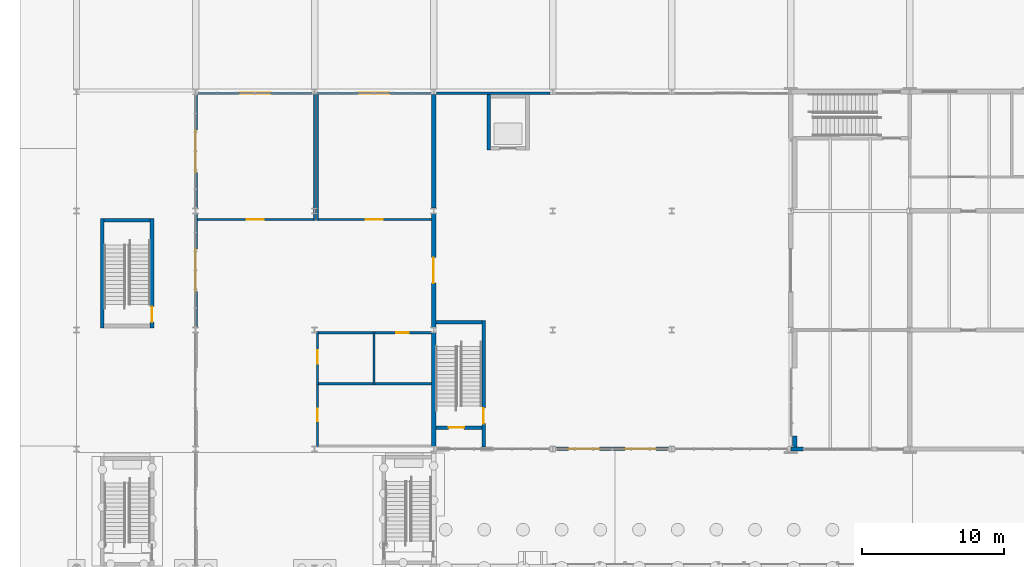
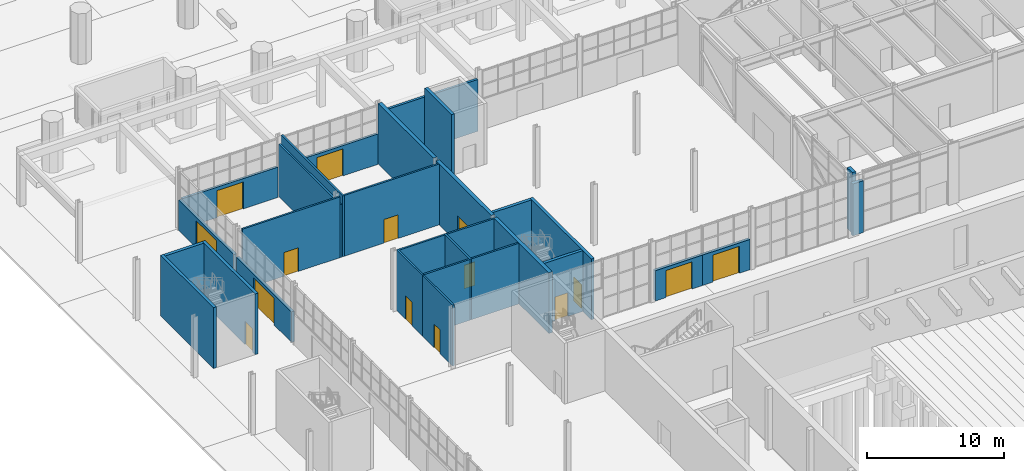
# One storey, part 66 of 127: 29 walls, 15 doors, 15 openings.
"""IFC4 building model written with IfcOpenShell, lengths in metres."""

from ifc_helpers import new_model, si_unit, direction, frame, frame_2d, origin, place, context, subcontext, project, spatial, rectangle, extrude, material, layer, layer_set, type_object, element, fill, save


model = new_model("IFC4")

# Units and contexts
model_context = context("Model", 3, precision=1e-05, world=origin(), true_north=direction((0.0, 1.0)))
body_context = subcontext(model_context, "Body", "Model", "MODEL_VIEW")
ifc_project = project(units=[si_unit("LENGTHUNIT", "METRE"), si_unit("AREAUNIT", "SQUARE_METRE"), si_unit("VOLUMEUNIT", "CUBIC_METRE"), si_unit("PLANEANGLEUNIT", "RADIAN"), si_unit("MASSUNIT", "GRAM", prefix="KILO")], contexts=[model_context])

# Site, building, storey
site_placement = place(None, origin())
site = spatial("IfcSite", under=ifc_project, at=site_placement, CompositionType="ELEMENT")
building_placement = place(site_placement, origin())
building = spatial("IfcBuilding", under=site, at=building_placement, Name="Ljudholm Concert House", CompositionType="ELEMENT")
storey_placement = place(building_placement, origin())
storey = spatial("IfcBuildingStorey", under=building, at=storey_placement, Name="L00", CompositionType="ELEMENT", Elevation=0.0)

# Wall, opening, door
ifc_material_1 = material(Name="Gypsum board on steel studs", Category="steel")
ifc_layer_1 = layer(ifc_material_1, 0.14990234375)
ifc_layer_set_1 = layer_set([ifc_layer_1], Name="Gypsum board on steel studs")
wall_type_1 = type_object("IfcWallType", Name="GYPSUM PARTITION 150", PredefinedType="PARTITIONING", material=ifc_layer_set_1)
wall_1_placement = place(storey_placement, frame((21.0, 104.925048828125, 0.0), z_axis=(0.0, 0.0, 1.0), x_axis=(0.0, 1.0, 0.0)))
wall_1 = element("IfcWall", 1, at=wall_1_placement, inside=storey, type_object=wall_type_1, Name="Room wall", PredefinedType="PARTITIONING", context=body_context, shape_type="SweptSolid", body=[
    extrude(rectangle(XDim=4.550048828125, YDim=0.14990234375, at=frame_2d((2.27490234375, 0.0))), origin(), (0.0, 0.0, 1.0), 5.39990234375),
])
opening_1_placement = place(wall_1_placement, frame((1.824951171875, 0.0, 0.0)))
opening_1 = element("IfcOpeningElement", 2, at=opening_1_placement, cuts=wall_1, Name="Opening D-S00-025", PredefinedType="OPENING", context=body_context, shape_type="SweptSolid", body=[
    extrude(rectangle(XDim=0.89990234375, YDim=2.10009765625, at=frame_2d((0.449951171875, 1.050048828125))), frame((0.0, 0.0849609375, 0.0), z_axis=(0.0, -1.0, 0.0), x_axis=(1.0, 0.0, 0.0)), (0.0, 0.0, 1.0), 0.169921875),
])
ifc_material_2 = material(Name="Hollow metal door in steel frame", Category="steel")
door_type_1 = type_object("IfcDoorType", Name="SWING DOOR 900x2100", OperationType="SINGLE_SWING_LEFT", PredefinedType="DOOR", material=ifc_material_2)
door_1_placement = place(opening_1_placement, frame((0.89990234375, 0.0, 0.0), z_axis=(0.0, 0.0, 1.0), x_axis=(-1.0, 0.0, 0.0)))
door_1 = element("IfcDoor", 3, at=door_1_placement, inside=storey, type_object=door_type_1, Name="Toilets door", OperationType="SINGLE_SWING_RIGHT", OverallHeight=2.10009765625, OverallWidth=0.89990234375, PredefinedType="DOOR", context=body_context, shape_type="SweptSolid", body=[
    extrude(rectangle(XDim=0.89990234375, YDim=2.10009765625, at=frame_2d((0.449951171875, 1.050048828125))), frame((0.0, 0.02490234375, 0.0), z_axis=(0.0, -1.0, 0.0), x_axis=(1.0, 0.0, 0.0)), (0.0, 0.0, 1.0), 0.050048828125),
])
fill(opening_1, door_1)

# Wall
wall_2_placement = place(storey_placement, frame((21.074951171875, 109.39990234375, 0.0), z_axis=(0.0, 0.0, 1.0), x_axis=(1.0, 0.0, 0.0)))
element("IfcWall", 4, at=wall_2_placement, inside=storey, type_object=wall_type_1, Name="Room wall", PredefinedType="PARTITIONING", context=body_context, shape_type="SweptSolid", body=[
    extrude(rectangle(XDim=7.97509765625, YDim=0.14990234375, at=frame_2d((3.987548828125, 0.0))), origin(), (0.0, 0.0, 1.0), 5.39990234375),
])

# Wall, opening, door
wall_3_placement = place(storey_placement, frame((21.0, 109.324951171875, 0.0), z_axis=(0.0, 0.0, 1.0), x_axis=(0.0, 1.0, 0.0)))
wall_3 = element("IfcWall", 5, at=wall_3_placement, inside=storey, type_object=wall_type_1, Name="Room wall", PredefinedType="PARTITIONING", context=body_context, shape_type="SweptSolid", body=[
    extrude(rectangle(XDim=3.75, YDim=0.14990234375, at=frame_2d((1.875, 0.0))), origin(), (0.0, 0.0, 1.0), 5.39990234375),
])
opening_2_placement = place(wall_3_placement, frame((1.5, 0.0, 0.0)))
opening_2 = element("IfcOpeningElement", 6, at=opening_2_placement, cuts=wall_3, Name="Opening D-S00-026", PredefinedType="OPENING", context=body_context, shape_type="SweptSolid", body=[
    extrude(rectangle(XDim=0.949951171875, YDim=2.10009765625, at=frame_2d((0.47509765625, 1.050048828125))), frame((0.0, 0.0849609375, 0.0), z_axis=(0.0, -1.0, 0.0), x_axis=(1.0, 0.0, 0.0)), (0.0, 0.0, 1.0), 0.169921875),
])
ifc_material_3 = material(Name="Hollow metal door in steel frame", Category="steel")
door_type_2 = type_object("IfcDoorType", Name="SWING DOOR 950x2100", OperationType="SINGLE_SWING_LEFT", PredefinedType="DOOR", material=ifc_material_3)
door_2_placement = place(opening_2_placement, frame((0.949951171875, 0.0, 0.0), z_axis=(0.0, 0.0, 1.0), x_axis=(-1.0, 0.0, 0.0)))
door_2 = element("IfcDoor", 7, at=door_2_placement, inside=storey, type_object=door_type_2, Name="Accessible WC door", OperationType="SINGLE_SWING_LEFT", OverallHeight=2.10009765625, OverallWidth=0.949951171875, PredefinedType="DOOR", context=body_context, shape_type="SweptSolid", body=[
    extrude(rectangle(XDim=0.949951171875, YDim=2.10009765625, at=frame_2d((0.47509765625, 1.050048828125))), frame((0.0, 0.02490234375, 0.0), z_axis=(0.0, -1.0, 0.0), x_axis=(1.0, 0.0, 0.0)), (0.0, 0.0, 1.0), 0.050048828125),
])
fill(opening_2, door_2)

# Walls
wall_4_placement = place(storey_placement, frame((25.0, 109.324951171875, 0.0), z_axis=(0.0, 0.0, 1.0), x_axis=(0.0, 1.0, 0.0)))
element("IfcWall", 8, at=wall_4_placement, inside=storey, type_object=wall_type_1, Name="Room wall", PredefinedType="PARTITIONING", context=body_context, shape_type="SweptSolid", body=[
    extrude(rectangle(XDim=3.75, YDim=0.14990234375, at=frame_2d((1.875, 0.0))), origin(), (0.0, 0.0, 1.0), 5.39990234375),
])
wall_5_placement = place(storey_placement, frame((21.074951171875, 113.0, 0.0), z_axis=(0.0, 0.0, 1.0), x_axis=(1.0, 0.0, 0.0)))
element("IfcWall", 9, at=wall_5_placement, inside=storey, type_object=wall_type_1, Name="Room wall", PredefinedType="PARTITIONING", context=body_context, shape_type="SweptSolid", body=[
    extrude(rectangle(XDim=3.85009765625, YDim=0.14990234375, at=frame_2d((1.925048828125, 0.0))), origin(), (0.0, 0.0, 1.0), 5.39990234375),
])

# Wall, opening, door
wall_6_placement = place(storey_placement, frame((25.074951171875, 113.0, 0.0), z_axis=(0.0, 0.0, 1.0), x_axis=(1.0, 0.0, 0.0)))
wall_6 = element("IfcWall", 10, at=wall_6_placement, inside=storey, type_object=wall_type_1, Name="Room wall", PredefinedType="PARTITIONING", context=body_context, shape_type="SweptSolid", body=[
    extrude(rectangle(XDim=3.97509765625, YDim=0.14990234375, at=frame_2d((1.987548828125, 0.0))), origin(), (0.0, 0.0, 1.0), 5.39990234375),
])
opening_3_placement = place(wall_6_placement, frame((1.47509765625, 0.0, 0.0)))
opening_3 = element("IfcOpeningElement", 11, at=opening_3_placement, cuts=wall_6, Name="Opening D-S00-027", PredefinedType="OPENING", context=body_context, shape_type="SweptSolid", body=[
    extrude(rectangle(XDim=0.89990234375, YDim=2.10009765625, at=frame_2d((0.449951171875, 1.050048828125))), frame((0.0, 0.0849609375, 0.0), z_axis=(0.0, -1.0, 0.0), x_axis=(1.0, 0.0, 0.0)), (0.0, 0.0, 1.0), 0.169921875),
])
door_3_placement = place(opening_3_placement, frame((0.89990234375, 0.0, 0.0), z_axis=(0.0, 0.0, 1.0), x_axis=(-1.0, 0.0, 0.0)))
door_3 = element("IfcDoor", 12, at=door_3_placement, inside=storey, type_object=door_type_1, Name="Cleaner's Store door", OperationType="SINGLE_SWING_LEFT", OverallHeight=2.10009765625, OverallWidth=0.89990234375, PredefinedType="DOOR", context=body_context, shape_type="SweptSolid", body=[
    extrude(rectangle(XDim=0.89990234375, YDim=2.10009765625, at=frame_2d((0.449951171875, 1.050048828125))), frame((0.0, 0.02490234375, 0.0), z_axis=(0.0, -1.0, 0.0), x_axis=(1.0, 0.0, 0.0)), (0.0, 0.0, 1.0), 0.050048828125),
])
fill(opening_3, door_3)

# Wall
wall_7_placement = place(storey_placement, frame((20.800048828125, 120.925048828125, 0.0), z_axis=(0.0, 0.0, 1.0), x_axis=(0.0, 1.0, 0.0)))
element("IfcWall", 13, at=wall_7_placement, inside=storey, type_object=wall_type_1, Name="Room wall", PredefinedType="PARTITIONING", context=body_context, shape_type="SweptSolid", body=[
    extrude(rectangle(XDim=8.949951171875, YDim=0.14990234375, at=frame_2d((4.47509765625, 0.0))), origin(), (0.0, 0.0, 1.0), 4.6865234375),
])

# Wall, opening, door
wall_8_placement = place(storey_placement, frame((12.52490234375, 121.0, 0.0), z_axis=(0.0, 0.0, 1.0), x_axis=(1.0, 0.0, 0.0)))
wall_8 = element("IfcWall", 14, at=wall_8_placement, inside=storey, type_object=wall_type_1, Name="Room wall", PredefinedType="PARTITIONING", context=body_context, shape_type="SweptSolid", body=[
    extrude(rectangle(XDim=8.2001953125, YDim=0.14990234375, at=frame_2d((4.10009765625, 0.0))), origin(), (0.0, 0.0, 1.0), 5.39990234375),
])
opening_4_placement = place(wall_8_placement, frame((3.47509765625, 0.0, 0.0)))
opening_4 = element("IfcOpeningElement", 15, at=opening_4_placement, cuts=wall_8, Name="Opening D-S00-028", PredefinedType="OPENING", context=body_context, shape_type="SweptSolid", body=[
    extrude(rectangle(XDim=1.199951171875, YDim=2.10009765625, at=frame_2d((0.60009765625, 1.050048828125))), frame((0.0, 0.0849609375, 0.0), z_axis=(0.0, -1.0, 0.0), x_axis=(1.0, 0.0, 0.0)), (0.0, 0.0, 1.0), 0.169921875),
])
ifc_material_4 = material(Name="Hollow metal door in steel frame", Category="steel")
door_type_3 = type_object("IfcDoorType", Name="SWING DOOR 1200x2100", OperationType="SINGLE_SWING_LEFT", PredefinedType="DOOR", material=ifc_material_4)
door_4_placement = place(opening_4_placement, origin())
door_4 = element("IfcDoor", 16, at=door_4_placement, inside=storey, type_object=door_type_3, Name="Cafe door", OperationType="SINGLE_SWING_LEFT", OverallHeight=2.10009765625, OverallWidth=1.199951171875, PredefinedType="DOOR", context=body_context, shape_type="SweptSolid", body=[
    extrude(rectangle(XDim=1.199951171875, YDim=2.10009765625, at=frame_2d((0.60009765625, 1.050048828125))), frame((0.0, 0.02490234375, 0.0), z_axis=(0.0, -1.0, 0.0), x_axis=(1.0, 0.0, 0.0)), (0.0, 0.0, 1.0), 0.050048828125),
])
fill(opening_4, door_4)

# Wall
wall_9_placement = place(storey_placement, frame((21.0, 120.925048828125, 0.0), z_axis=(0.0, 0.0, 1.0), x_axis=(0.0, 1.0, 0.0)))
element("IfcWall", 17, at=wall_9_placement, inside=storey, type_object=wall_type_1, Name="Room wall", PredefinedType="PARTITIONING", context=body_context, shape_type="SweptSolid", body=[
    extrude(rectangle(XDim=8.949951171875, YDim=0.14990234375, at=frame_2d((4.47509765625, 0.0))), origin(), (0.0, 0.0, 1.0), 5.39990234375),
])

# Wall, opening, door
wall_10_placement = place(storey_placement, frame((21.074951171875, 121.0, 0.0), z_axis=(0.0, 0.0, 1.0), x_axis=(1.0, 0.0, 0.0)))
wall_10 = element("IfcWall", 18, at=wall_10_placement, inside=storey, type_object=wall_type_1, Name="Room wall", PredefinedType="PARTITIONING", context=body_context, shape_type="SweptSolid", body=[
    extrude(rectangle(XDim=7.97509765625, YDim=0.14990234375, at=frame_2d((3.987548828125, 0.0))), origin(), (0.0, 0.0, 1.0), 5.39990234375),
])
opening_5_placement = place(wall_10_placement, frame((3.324951171875, 0.0, 0.0)))
opening_5 = element("IfcOpeningElement", 19, at=opening_5_placement, cuts=wall_10, Name="Opening D-S00-029", PredefinedType="OPENING", context=body_context, shape_type="SweptSolid", body=[
    extrude(rectangle(XDim=1.199951171875, YDim=2.10009765625, at=frame_2d((0.60009765625, 1.050048828125))), frame((0.0, 0.0849609375, 0.0), z_axis=(0.0, -1.0, 0.0), x_axis=(1.0, 0.0, 0.0)), (0.0, 0.0, 1.0), 0.169921875),
])
door_5_placement = place(opening_5_placement, origin())
door_5 = element("IfcDoor", 20, at=door_5_placement, inside=storey, type_object=door_type_3, Name="Shop door", OperationType="SINGLE_SWING_RIGHT", OverallHeight=2.10009765625, OverallWidth=1.199951171875, PredefinedType="DOOR", context=body_context, shape_type="SweptSolid", body=[
    extrude(rectangle(XDim=1.199951171875, YDim=2.10009765625, at=frame_2d((0.60009765625, 1.050048828125))), frame((0.0, 0.02490234375, 0.0), z_axis=(0.0, -1.0, 0.0), x_axis=(1.0, 0.0, 0.0)), (0.0, 0.0, 1.0), 0.050048828125),
])
fill(opening_5, door_5)

# Walls
ifc_material_5 = material(Name="Concrete masonry unit f'm 13.8 MPa", Category="masonry")
ifc_layer_2 = layer(ifc_material_5, 0.300048828125)
ifc_layer_set_2 = layer_set([ifc_layer_2], Name="Concrete masonry unit f'm 13.8 MPa")
wall_type_2 = type_object("IfcWallType", Name="MASONRY WALL 300", PredefinedType="SOLIDWALL", material=ifc_layer_set_2)
wall_11_placement = place(storey_placement, frame((54.6796875, 104.949951171875, 0.0), z_axis=(0.0, 0.0, 1.0), x_axis=(0.0, 1.0, 0.0)))
element("IfcWall", 21, at=wall_11_placement, inside=storey, type_object=wall_type_2, Name="Separation wall (braced bay)", PredefinedType="SOLIDWALL", context=body_context, shape_type="SweptSolid", body=[
    extrude(rectangle(XDim=0.75, YDim=0.300048828125, at=frame_2d((0.375, 0.0))), origin(), (0.0, 0.0, 1.0), 5.39990234375),
])
ifc_material_6 = material(Name="Precast concrete 5,000 psi", Category="concrete")
ifc_layer_3 = layer(ifc_material_6, 0.300048828125)
ifc_layer_set_3 = layer_set([ifc_layer_3], Name="Precast concrete 5,000 psi")
wall_type_3 = type_object("IfcWallType", Name="PRECAST PANEL WALL 300", PredefinedType="SOLIDWALL", material=ifc_layer_set_3)
wall_12_placement = place(storey_placement, frame((54.408203125, 104.800048828125, 0.0), z_axis=(0.0, 0.0, 1.0), x_axis=(1.0, 0.0, 0.0)))
element("IfcWall", 22, at=wall_12_placement, inside=storey, type_object=wall_type_3, Name="Facade wall", PredefinedType="SOLIDWALL", context=body_context, shape_type="SweptSolid", body=[
    extrude(rectangle(XDim=0.891845703125, YDim=0.300048828125, at=frame_2d((0.44580078125, 0.0))), origin(), (0.0, 0.0, 1.0), 4.60791015625),
])
ifc_material_7 = material(Name="Concrete 6,500 psi", Category="concrete")
ifc_layer_4 = layer(ifc_material_7, 0.25)
ifc_layer_set_4 = layer_set([ifc_layer_4], Name="Concrete 6,500 psi")
wall_type_4 = type_object("IfcWallType", Name="RC CORE WALL 250", PredefinedType="SHEAR", material=ifc_layer_set_4)
wall_13_placement = place(storey_placement, frame((5.824951171875, 113.35009765625, 0.0), z_axis=(0.0, 0.0, 1.0), x_axis=(0.0, 1.0, 0.0)))
element("IfcWall", 23, at=wall_13_placement, inside=storey, type_object=wall_type_4, Name="Stair enclosure wall", PredefinedType="SHEAR", context=body_context, shape_type="SweptSolid", body=[
    extrude(rectangle(XDim=7.699951171875, YDim=0.25, at=frame_2d((3.85009765625, 0.0))), origin(), (0.0, 0.0, 1.0), 5.39990234375),
])

# Wall, opening, door
wall_14_placement = place(storey_placement, frame((9.324951171875, 113.35009765625, 0.0), z_axis=(0.0, 0.0, 1.0), x_axis=(0.0, 1.0, 0.0)))
wall_14 = element("IfcWall", 24, at=wall_14_placement, inside=storey, type_object=wall_type_4, Name="Stair enclosure wall", PredefinedType="SHEAR", context=body_context, shape_type="SweptSolid", body=[
    extrude(rectangle(XDim=7.699951171875, YDim=0.25, at=frame_2d((3.85009765625, 0.0))), origin(), (0.0, 0.0, 1.0), 5.39990234375),
])
opening_6_placement = place(wall_14_placement, frame((0.39990234375, 0.0, 0.0)))
opening_6 = element("IfcOpeningElement", 25, at=opening_6_placement, cuts=wall_14, Name="Opening D-S00-020", PredefinedType="OPENING", context=body_context, shape_type="SweptSolid", body=[
    extrude(rectangle(XDim=1.10009765625, YDim=2.10009765625, at=frame_2d((0.550048828125, 1.050048828125))), frame((0.0, 0.135009765625, 0.0), z_axis=(0.0, -1.0, 0.0), x_axis=(1.0, 0.0, 0.0)), (0.0, 0.0, 1.0), 0.27001953125),
])
ifc_material_8 = material(Name="Hollow metal door in steel frame", Category="steel")
door_type_4 = type_object("IfcDoorType", Name="SWING DOOR 1100x2100 EXTERNAL", OperationType="SINGLE_SWING_LEFT", PredefinedType="DOOR", material=ifc_material_8)
door_6_placement = place(opening_6_placement, frame((1.10009765625, 0.0, 0.0), z_axis=(0.0, 0.0, 1.0), x_axis=(-1.0, 0.0, 0.0)))
door_6 = element("IfcDoor", 26, at=door_6_placement, inside=storey, type_object=door_type_4, Name="Stair exit door", OperationType="SINGLE_SWING_LEFT", OverallHeight=2.10009765625, OverallWidth=1.10009765625, PredefinedType="DOOR", context=body_context, shape_type="SweptSolid", body=[
    extrude(rectangle(XDim=1.10009765625, YDim=2.10009765625, at=frame_2d((0.550048828125, 1.050048828125))), frame((0.0, 0.02490234375, 0.0), z_axis=(0.0, -1.0, 0.0), x_axis=(1.0, 0.0, 0.0)), (0.0, 0.0, 1.0), 0.050048828125),
])
fill(opening_6, door_6)

# Wall
wall_15_placement = place(storey_placement, frame((5.949951171875, 120.925048828125, 0.0), z_axis=(0.0, 0.0, 1.0), x_axis=(1.0, 0.0, 0.0)))
element("IfcWall", 27, at=wall_15_placement, inside=storey, type_object=wall_type_4, Name="Stair enclosure wall", PredefinedType="SHEAR", context=body_context, shape_type="SweptSolid", body=[
    extrude(rectangle(XDim=3.25, YDim=0.25, at=frame_2d((1.625, 0.0))), origin(), (0.0, 0.0, 1.0), 5.39990234375),
])

# Wall, opening, door
wall_16_placement = place(storey_placement, frame((32.72509765625, 104.949951171875, 0.0), z_axis=(0.0, 0.0, 1.0), x_axis=(0.0, 1.0, 0.0)))
wall_16 = element("IfcWall", 28, at=wall_16_placement, inside=storey, type_object=wall_type_4, Name="Stair enclosure wall", PredefinedType="SHEAR", context=body_context, shape_type="SweptSolid", body=[
    extrude(rectangle(XDim=8.929931640625, YDim=0.25, at=frame_2d((4.46484375, 0.0))), origin(), (0.0, 0.0, 1.0), 5.39990234375),
])
opening_7_placement = place(wall_16_placement, frame((1.6298828125, 0.0, 0.0)))
opening_7 = element("IfcOpeningElement", 29, at=opening_7_placement, cuts=wall_16, Name="Opening D-G00-006", PredefinedType="OPENING", context=body_context, shape_type="SweptSolid", body=[
    extrude(rectangle(XDim=1.10009765625, YDim=2.10009765625, at=frame_2d((0.550048828125, 1.050048828125))), frame((0.0, 0.135009765625, 0.0), z_axis=(0.0, -1.0, 0.0), x_axis=(1.0, 0.0, 0.0)), (0.0, 0.0, 1.0), 0.27001953125),
])
ifc_material_9 = material(Name="Hollow metal door in steel frame", Category="steel")
door_type_5 = type_object("IfcDoorType", Name="SWING DOOR 1100x2100", OperationType="SINGLE_SWING_LEFT", PredefinedType="DOOR", material=ifc_material_9)
door_7_placement = place(opening_7_placement, origin())
door_7 = element("IfcDoor", 30, at=door_7_placement, inside=storey, type_object=door_type_5, Name="Stair door", OperationType="SINGLE_SWING_LEFT", OverallHeight=2.10009765625, OverallWidth=1.10009765625, PredefinedType="DOOR", context=body_context, shape_type="SweptSolid", body=[
    extrude(rectangle(XDim=1.10009765625, YDim=2.10009765625, at=frame_2d((0.550048828125, 1.050048828125))), frame((0.0, 0.02490234375, 0.0), z_axis=(0.0, -1.0, 0.0), x_axis=(1.0, 0.0, 0.0)), (0.0, 0.0, 1.0), 0.050048828125),
])
fill(opening_7, door_7)

# Wall
wall_17_placement = place(storey_placement, frame((29.35009765625, 113.7548828125, 0.0), z_axis=(0.0, 0.0, 1.0), x_axis=(1.0, 0.0, 0.0)))
element("IfcWall", 31, at=wall_17_placement, inside=storey, type_object=wall_type_4, Name="Stair enclosure wall", PredefinedType="SHEAR", context=body_context, shape_type="SweptSolid", body=[
    extrude(rectangle(XDim=3.25, YDim=0.25, at=frame_2d((1.625, 0.0))), origin(), (0.0, 0.0, 1.0), 5.39990234375),
])

# Wall, opening, door
wall_18_placement = place(storey_placement, frame((29.35009765625, 106.304931640625, 0.0), z_axis=(0.0, 0.0, 1.0), x_axis=(1.0, 0.0, 0.0)))
wall_18 = element("IfcWall", 32, at=wall_18_placement, inside=storey, type_object=wall_type_4, Name="Stair enclosure wall", PredefinedType="SHEAR", context=body_context, shape_type="SweptSolid", body=[
    extrude(rectangle(XDim=3.25, YDim=0.25, at=frame_2d((1.625, 0.0))), origin(), (0.0, 0.0, 1.0), 5.39990234375),
])
opening_8_placement = place(wall_18_placement, frame((0.89990234375, 0.0, 0.0)))
opening_8 = element("IfcOpeningElement", 33, at=opening_8_placement, cuts=wall_18, Name="Opening D-G00-007", PredefinedType="OPENING", context=body_context, shape_type="SweptSolid", body=[
    extrude(rectangle(XDim=1.10009765625, YDim=2.10009765625, at=frame_2d((0.550048828125, 1.050048828125))), frame((0.0, 0.135009765625, 0.0), z_axis=(0.0, -1.0, 0.0), x_axis=(1.0, 0.0, 0.0)), (0.0, 0.0, 1.0), 0.27001953125),
])
door_8_placement = place(opening_8_placement, origin())
door_8 = element("IfcDoor", 34, at=door_8_placement, inside=storey, type_object=door_type_5, Name="Stair door to exit passage", OperationType="SINGLE_SWING_RIGHT", OverallHeight=2.10009765625, OverallWidth=1.10009765625, PredefinedType="DOOR", context=body_context, shape_type="SweptSolid", body=[
    extrude(rectangle(XDim=1.10009765625, YDim=2.10009765625, at=frame_2d((0.550048828125, 1.050048828125))), frame((0.0, 0.02490234375, 0.0), z_axis=(0.0, -1.0, 0.0), x_axis=(1.0, 0.0, 0.0)), (0.0, 0.0, 1.0), 0.050048828125),
])
fill(opening_8, door_8)

# Walls
ifc_material_10 = material(Name="Concrete 6,500 psi", Category="concrete")
ifc_layer_5 = layer(ifc_material_10, 0.25)
ifc_layer_set_5 = layer_set([ifc_layer_5], Name="Concrete 6,500 psi")
wall_type_5 = type_object("IfcWallType", Name="RC WALL 250", PredefinedType="SOLIDWALL", material=ifc_layer_set_5)
wall_19_placement = place(storey_placement, frame((33.074951171875, 125.89990234375, 0.0), z_axis=(0.0, 0.0, 1.0), x_axis=(0.0, 1.0, 0.0)))
element("IfcWall", 35, at=wall_19_placement, inside=storey, type_object=wall_type_5, Name="Lift shaft wall", PredefinedType="SOLIDWALL", context=body_context, shape_type="SweptSolid", body=[
    extrude(rectangle(XDim=3.900146484375, YDim=0.25, at=frame_2d((1.9501953125, 0.0))), origin(), (0.0, 0.0, 1.0), 5.39990234375),
])
ifc_material_11 = material(Name="Concrete 6,500 psi", Category="concrete")
ifc_layer_6 = layer(ifc_material_11, 0.300048828125)
ifc_layer_set_6 = layer_set([ifc_layer_6], Name="Concrete 6,500 psi")
wall_type_6 = type_object("IfcWallType", Name="RC WALL 300", PredefinedType="SOLIDWALL", material=ifc_layer_set_6)
wall_20_placement = place(storey_placement, frame((29.199951171875, 104.986572265625, 0.0), z_axis=(0.0, 0.0, 1.0), x_axis=(0.0, 1.0, 0.0)))
element("IfcWall", 36, at=wall_20_placement, inside=storey, type_object=wall_type_6, Name="Winter garden separation wall", PredefinedType="SOLIDWALL", context=body_context, shape_type="SweptSolid", body=[
    extrude(rectangle(XDim=8.02685546875, YDim=0.300048828125, at=frame_2d((4.013427734375, 0.0))), origin(), (0.0, 0.0, 1.0), 5.39990234375),
])

# Wall, opening, door
wall_21_placement = place(storey_placement, frame((29.199951171875, 113.38671875, 0.0), z_axis=(0.0, 0.0, 1.0), x_axis=(0.0, 1.0, 0.0)))
wall_21 = element("IfcWall", 37, at=wall_21_placement, inside=storey, type_object=wall_type_6, Name="Winter garden separation wall", PredefinedType="SOLIDWALL", context=body_context, shape_type="SweptSolid", body=[
    extrude(rectangle(XDim=8.026611328125, YDim=0.300048828125, at=frame_2d((4.01318359375, 0.0))), origin(), (0.0, 0.0, 1.0), 5.39990234375),
])
opening_9_placement = place(wall_21_placement, frame((3.11328125, 0.0, 0.0)))
opening_9 = element("IfcOpeningElement", 38, at=opening_9_placement, cuts=wall_21, Name="Opening D-S00-012", PredefinedType="OPENING", context=body_context, shape_type="SweptSolid", body=[
    extrude(rectangle(XDim=1.800048828125, YDim=2.39990234375, at=frame_2d((0.89990234375, 1.199951171875))), frame((0.0, 0.159912109375, 0.0), z_axis=(0.0, -1.0, 0.0), x_axis=(1.0, 0.0, 0.0)), (0.0, 0.0, 1.0), 0.320068359375),
])
ifc_material_12 = material(Name="Hollow metal door in steel frame", Category="steel")
door_type_6 = type_object("IfcDoorType", Name="DOUBLE DOOR 1800x2400", OperationType="DOUBLE_DOOR_SINGLE_SWING", PredefinedType="DOOR", material=ifc_material_12)
door_9_placement = place(opening_9_placement, origin())
door_9 = element("IfcDoor", 39, at=door_9_placement, inside=storey, type_object=door_type_6, Name="Winter garden door pair", OperationType="DOUBLE_DOOR_SINGLE_SWING", OverallHeight=2.39990234375, OverallWidth=1.800048828125, PredefinedType="DOOR", context=body_context, shape_type="SweptSolid", body=[
    extrude(rectangle(XDim=1.800048828125, YDim=2.39990234375, at=frame_2d((0.89990234375, 1.199951171875))), frame((0.0, 0.02490234375, 0.0), z_axis=(0.0, -1.0, 0.0), x_axis=(1.0, 0.0, 0.0)), (0.0, 0.0, 1.0), 0.050048828125),
])
fill(opening_9, door_9)

# Wall
wall_22_placement = place(storey_placement, frame((29.199951171875, 121.78662109375, 0.0), z_axis=(0.0, 0.0, 1.0), x_axis=(0.0, 1.0, 0.0)))
element("IfcWall", 40, at=wall_22_placement, inside=storey, type_object=wall_type_6, Name="Winter garden separation wall", PredefinedType="SOLIDWALL", context=body_context, shape_type="SweptSolid", body=[
    extrude(rectangle(XDim=8.026611328125, YDim=0.300048828125, at=frame_2d((4.01318359375, 0.0))), origin(), (0.0, 0.0, 1.0), 5.39990234375),
])

# Wall, opening, door
ifc_material_13 = material(Name="Aluminium cladding with timber-grain PVDF finish", Category="aluminium")
ifc_layer_7 = layer(ifc_material_13, 0.199951171875)
ifc_layer_set_7 = layer_set([ifc_layer_7], Name="Aluminium cladding with timber-grain PVDF finish")
wall_type_7 = type_object("IfcWallType", Name="TIMBER-GRAIN ALUMINIUM CLAD WALL 200", PredefinedType="SOLIDWALL", material=ifc_layer_set_7)
wall_23_placement = place(storey_placement, frame((12.586669921875, 129.89990234375, 0.0), z_axis=(0.0, 0.0, 1.0), x_axis=(1.0, 0.0, 0.0)))
wall_23 = element("IfcWall", 41, at=wall_23_placement, inside=storey, type_object=wall_type_7, Name="North entrance wall", PredefinedType="SOLIDWALL", context=body_context, shape_type="SweptSolid", body=[
    extrude(rectangle(XDim=8.026611328125, YDim=0.199951171875, at=frame_2d((4.01318359375, 0.0))), origin(), (0.0, 0.0, 1.0), 2.699951171875),
])
opening_10_placement = place(wall_23_placement, frame((2.913330078125, 0.0, 0.0)))
opening_10 = element("IfcOpeningElement", 42, at=opening_10_placement, cuts=wall_23, Name="Opening D-S00-010", PredefinedType="OPENING", context=body_context, shape_type="SweptSolid", body=[
    extrude(rectangle(XDim=2.199951171875, YDim=2.39990234375, at=frame_2d((1.10009765625, 1.199951171875))), frame((0.0, 0.10986328125, 0.0), z_axis=(0.0, -1.0, 0.0), x_axis=(1.0, 0.0, 0.0)), (0.0, 0.0, 1.0), 0.219970703125),
])
ifc_material_14 = material(Name="Aluminium frame with impact-rated laminated glass", Category="aluminium")
door_type_7 = type_object("IfcDoorType", Name="GLAZED ENTRANCE DOOR PAIR 2200x2400", OperationType="DOUBLE_DOOR_SINGLE_SWING", PredefinedType="DOOR", material=ifc_material_14)
door_10_placement = place(opening_10_placement, origin())
door_10 = element("IfcDoor", 43, at=door_10_placement, inside=storey, type_object=door_type_7, Name="North entrance door pair", OperationType="DOUBLE_DOOR_SINGLE_SWING", OverallHeight=2.39990234375, OverallWidth=2.199951171875, PredefinedType="DOOR", context=body_context, shape_type="SweptSolid", body=[
    extrude(rectangle(XDim=2.199951171875, YDim=2.39990234375, at=frame_2d((1.10009765625, 1.199951171875))), frame((0.0, 0.02490234375, 0.0), z_axis=(0.0, -1.0, 0.0), x_axis=(1.0, 0.0, 0.0)), (0.0, 0.0, 1.0), 0.050048828125),
])
fill(opening_10, door_10)

wall_24_placement = place(storey_placement, frame((20.986572265625, 129.89990234375, 0.0), z_axis=(0.0, 0.0, 1.0), x_axis=(1.0, 0.0, 0.0)))
wall_24 = element("IfcWall", 44, at=wall_24_placement, inside=storey, type_object=wall_type_7, Name="North entrance wall", PredefinedType="SOLIDWALL", context=body_context, shape_type="SweptSolid", body=[
    extrude(rectangle(XDim=8.02685546875, YDim=0.199951171875, at=frame_2d((4.013427734375, 0.0))), origin(), (0.0, 0.0, 1.0), 2.699951171875),
])
opening_11_placement = place(wall_24_placement, frame((2.913330078125, 0.0, 0.0)))
opening_11 = element("IfcOpeningElement", 45, at=opening_11_placement, cuts=wall_24, Name="Opening D-S00-011", PredefinedType="OPENING", context=body_context, shape_type="SweptSolid", body=[
    extrude(rectangle(XDim=2.199951171875, YDim=2.39990234375, at=frame_2d((1.10009765625, 1.199951171875))), frame((0.0, 0.10986328125, 0.0), z_axis=(0.0, -1.0, 0.0), x_axis=(1.0, 0.0, 0.0)), (0.0, 0.0, 1.0), 0.219970703125),
])
door_11_placement = place(opening_11_placement, origin())
door_11 = element("IfcDoor", 46, at=door_11_placement, inside=storey, type_object=door_type_7, Name="North entrance door pair", OperationType="DOUBLE_DOOR_SINGLE_SWING", OverallHeight=2.39990234375, OverallWidth=2.199951171875, PredefinedType="DOOR", context=body_context, shape_type="SweptSolid", body=[
    extrude(rectangle(XDim=2.199951171875, YDim=2.39990234375, at=frame_2d((1.10009765625, 1.199951171875))), frame((0.0, 0.02490234375, 0.0), z_axis=(0.0, -1.0, 0.0), x_axis=(1.0, 0.0, 0.0)), (0.0, 0.0, 1.0), 0.050048828125),
])
fill(opening_11, door_11)

# Wall
wall_25_placement = place(storey_placement, frame((29.389892578125, 129.89990234375, 0.0), z_axis=(0.0, 0.0, 1.0), x_axis=(1.0, 0.0, 0.0)))
element("IfcWall", 47, at=wall_25_placement, inside=storey, type_object=wall_type_7, Name="North wall", PredefinedType="SOLIDWALL", context=body_context, shape_type="SweptSolid", body=[
    extrude(rectangle(XDim=8.02001953125, YDim=0.199951171875, at=frame_2d((4.010009765625, 0.0))), origin(), (0.0, 0.0, 1.0), 4.60791015625),
])

# Wall, opening, door
ifc_material_15 = material(Name="Aluminium cladding with timber-grain PVDF finish", Category="aluminium")
ifc_layer_8 = layer(ifc_material_15, 0.25)
ifc_layer_set_8 = layer_set([ifc_layer_8], Name="Aluminium cladding with timber-grain PVDF finish")
wall_type_8 = type_object("IfcWallType", Name="TIMBER-GRAIN ALUMINIUM CLAD WALL 250", PredefinedType="SOLIDWALL", material=ifc_layer_set_8)
wall_26_placement = place(storey_placement, frame((12.39990234375, 113.38671875, 0.0), z_axis=(0.0, 0.0, 1.0), x_axis=(0.0, 1.0, 0.0)))
wall_26 = element("IfcWall", 48, at=wall_26_placement, inside=storey, type_object=wall_type_8, Name="Entrance wall", PredefinedType="SOLIDWALL", context=body_context, shape_type="SweptSolid", body=[
    extrude(rectangle(XDim=8.026611328125, YDim=0.25, at=frame_2d((4.01318359375, 0.0))), origin(), (0.0, 0.0, 1.0), 2.699951171875),
])
opening_12_placement = place(wall_26_placement, frame((2.513427734375, 0.0, 0.0)))
opening_12 = element("IfcOpeningElement", 49, at=opening_12_placement, cuts=wall_26, Name="Opening D-S00-008", PredefinedType="OPENING", context=body_context, shape_type="SweptSolid", body=[
    extrude(rectangle(XDim=3.0, YDim=2.39990234375, at=frame_2d((1.5, 1.199951171875))), frame((0.0, 0.135009765625, 0.0), z_axis=(0.0, -1.0, 0.0), x_axis=(1.0, 0.0, 0.0)), (0.0, 0.0, 1.0), 0.27001953125),
])
ifc_material_16 = material(Name="Aluminium frame with impact-rated laminated glass", Category="aluminium")
door_type_8 = type_object("IfcDoorType", Name="GLAZED ENTRANCE DOOR PAIR 3000x2400", OperationType="DOUBLE_DOOR_SINGLE_SWING", PredefinedType="DOOR", material=ifc_material_16)
door_12_placement = place(opening_12_placement, origin())
door_12 = element("IfcDoor", 50, at=door_12_placement, inside=storey, type_object=door_type_8, Name="Entrance door pair", OperationType="DOUBLE_DOOR_SINGLE_SWING", OverallHeight=2.39990234375, OverallWidth=3.0, PredefinedType="DOOR", context=body_context, shape_type="SweptSolid", body=[
    extrude(rectangle(XDim=3.0, YDim=2.39990234375, at=frame_2d((1.5, 1.199951171875))), frame((0.0, 0.02490234375, 0.0), z_axis=(0.0, -1.0, 0.0), x_axis=(1.0, 0.0, 0.0)), (0.0, 0.0, 1.0), 0.050048828125),
])
fill(opening_12, door_12)

wall_27_placement = place(storey_placement, frame((12.39990234375, 121.78662109375, 0.0), z_axis=(0.0, 0.0, 1.0), x_axis=(0.0, 1.0, 0.0)))
wall_27 = element("IfcWall", 51, at=wall_27_placement, inside=storey, type_object=wall_type_8, Name="Entrance wall", PredefinedType="SOLIDWALL", context=body_context, shape_type="SweptSolid", body=[
    extrude(rectangle(XDim=8.026611328125, YDim=0.25, at=frame_2d((4.01318359375, 0.0))), origin(), (0.0, 0.0, 1.0), 2.699951171875),
])
opening_13_placement = place(wall_27_placement, frame((2.513427734375, 0.0, 0.0)))
opening_13 = element("IfcOpeningElement", 52, at=opening_13_placement, cuts=wall_27, Name="Opening D-S00-009", PredefinedType="OPENING", context=body_context, shape_type="SweptSolid", body=[
    extrude(rectangle(XDim=3.0, YDim=2.39990234375, at=frame_2d((1.5, 1.199951171875))), frame((0.0, 0.135009765625, 0.0), z_axis=(0.0, -1.0, 0.0), x_axis=(1.0, 0.0, 0.0)), (0.0, 0.0, 1.0), 0.27001953125),
])
door_13_placement = place(opening_13_placement, origin())
door_13 = element("IfcDoor", 53, at=door_13_placement, inside=storey, type_object=door_type_8, Name="Entrance door pair", OperationType="DOUBLE_DOOR_SINGLE_SWING", OverallHeight=2.39990234375, OverallWidth=3.0, PredefinedType="DOOR", context=body_context, shape_type="SweptSolid", body=[
    extrude(rectangle(XDim=3.0, YDim=2.39990234375, at=frame_2d((1.5, 1.199951171875))), frame((0.0, 0.02490234375, 0.0), z_axis=(0.0, -1.0, 0.0), x_axis=(1.0, 0.0, 0.0)), (0.0, 0.0, 1.0), 0.050048828125),
])
fill(opening_13, door_13)

wall_28_placement = place(storey_placement, frame((37.820068359375, 104.800048828125, 0.0), z_axis=(0.0, 0.0, 1.0), x_axis=(1.0, 0.0, 0.0)))
wall_28 = element("IfcWall", 54, at=wall_28_placement, inside=storey, type_object=wall_type_8, Name="Entrance wall", PredefinedType="SOLIDWALL", context=body_context, shape_type="SweptSolid", body=[
    extrude(rectangle(XDim=3.97998046875, YDim=0.25, at=frame_2d((1.989990234375, 0.0))), origin(), (0.0, 0.0, 1.0), 2.699951171875),
])
opening_14_placement = place(wall_28_placement, frame((0.889892578125, 0.0, 0.0)))
opening_14 = element("IfcOpeningElement", 55, at=opening_14_placement, cuts=wall_28, Name="Opening D-G00-003", PredefinedType="OPENING", context=body_context, shape_type="SweptSolid", body=[
    extrude(rectangle(XDim=2.199951171875, YDim=2.39990234375, at=frame_2d((1.10009765625, 1.199951171875))), frame((0.0, 0.135009765625, 0.0), z_axis=(0.0, -1.0, 0.0), x_axis=(1.0, 0.0, 0.0)), (0.0, 0.0, 1.0), 0.27001953125),
])
door_14_placement = place(opening_14_placement, frame((2.199951171875, 0.0, 0.0), z_axis=(0.0, 0.0, 1.0), x_axis=(-1.0, 0.0, 0.0)))
door_14 = element("IfcDoor", 56, at=door_14_placement, inside=storey, type_object=door_type_7, Name="Entrance door pair", OperationType="DOUBLE_DOOR_SINGLE_SWING", OverallHeight=2.39990234375, OverallWidth=2.199951171875, PredefinedType="DOOR", context=body_context, shape_type="SweptSolid", body=[
    extrude(rectangle(XDim=2.199951171875, YDim=2.39990234375, at=frame_2d((1.10009765625, 1.199951171875))), frame((0.0, 0.02490234375, 0.0), z_axis=(0.0, -1.0, 0.0), x_axis=(1.0, 0.0, 0.0)), (0.0, 0.0, 1.0), 0.050048828125),
])
fill(opening_14, door_14)

wall_29_placement = place(storey_placement, frame((41.800048828125, 104.800048828125, 0.0), z_axis=(0.0, 0.0, 1.0), x_axis=(1.0, 0.0, 0.0)))
wall_29 = element("IfcWall", 57, at=wall_29_placement, inside=storey, type_object=wall_type_8, Name="Entrance wall", PredefinedType="SOLIDWALL", context=body_context, shape_type="SweptSolid", body=[
    extrude(rectangle(XDim=3.97998046875, YDim=0.25, at=frame_2d((1.989990234375, 0.0))), origin(), (0.0, 0.0, 1.0), 2.699951171875),
])
opening_15_placement = place(wall_29_placement, frame((0.889892578125, 0.0, 0.0)))
opening_15 = element("IfcOpeningElement", 58, at=opening_15_placement, cuts=wall_29, Name="Opening D-G00-004", PredefinedType="OPENING", context=body_context, shape_type="SweptSolid", body=[
    extrude(rectangle(XDim=2.199951171875, YDim=2.39990234375, at=frame_2d((1.10009765625, 1.199951171875))), frame((0.0, 0.135009765625, 0.0), z_axis=(0.0, -1.0, 0.0), x_axis=(1.0, 0.0, 0.0)), (0.0, 0.0, 1.0), 0.27001953125),
])
door_15_placement = place(opening_15_placement, frame((2.199951171875, 0.0, 0.0), z_axis=(0.0, 0.0, 1.0), x_axis=(-1.0, 0.0, 0.0)))
door_15 = element("IfcDoor", 59, at=door_15_placement, inside=storey, type_object=door_type_7, Name="Entrance door pair", OperationType="DOUBLE_DOOR_SINGLE_SWING", OverallHeight=2.39990234375, OverallWidth=2.199951171875, PredefinedType="DOOR", context=body_context, shape_type="SweptSolid", body=[
    extrude(rectangle(XDim=2.199951171875, YDim=2.39990234375, at=frame_2d((1.10009765625, 1.199951171875))), frame((0.0, 0.02490234375, 0.0), z_axis=(0.0, -1.0, 0.0), x_axis=(1.0, 0.0, 0.0)), (0.0, 0.0, 1.0), 0.050048828125),
])
fill(opening_15, door_15)

save(model, "model.ifc")
